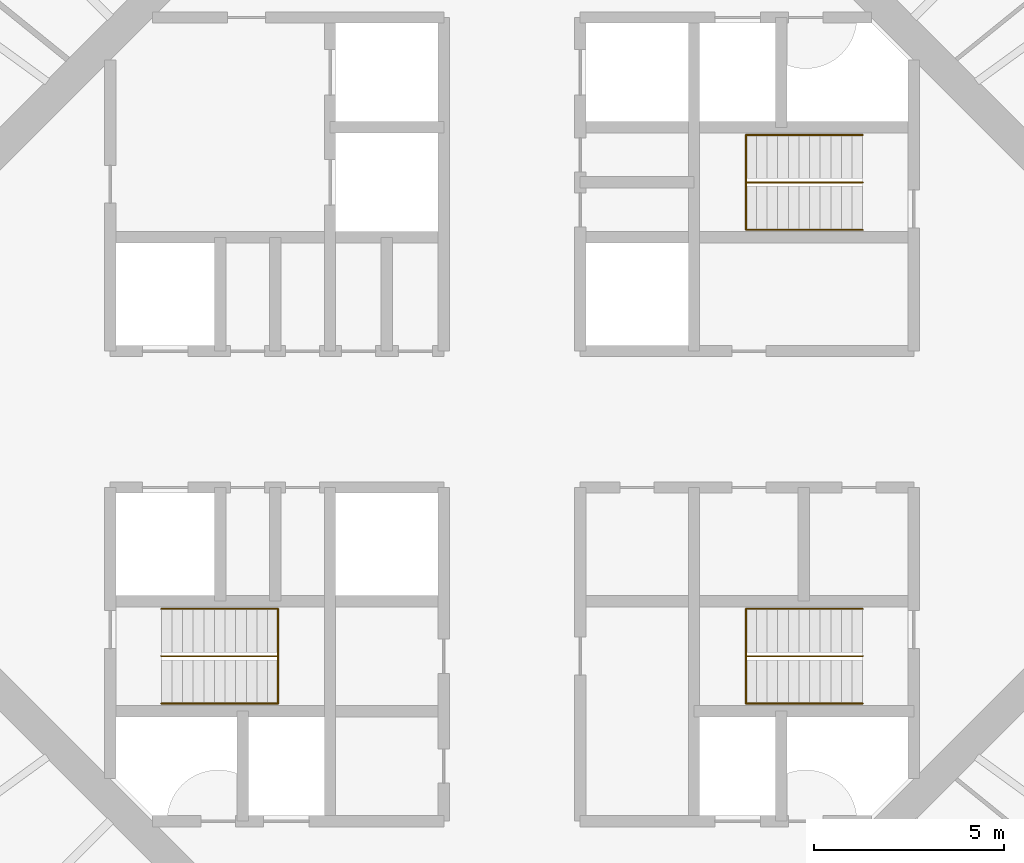
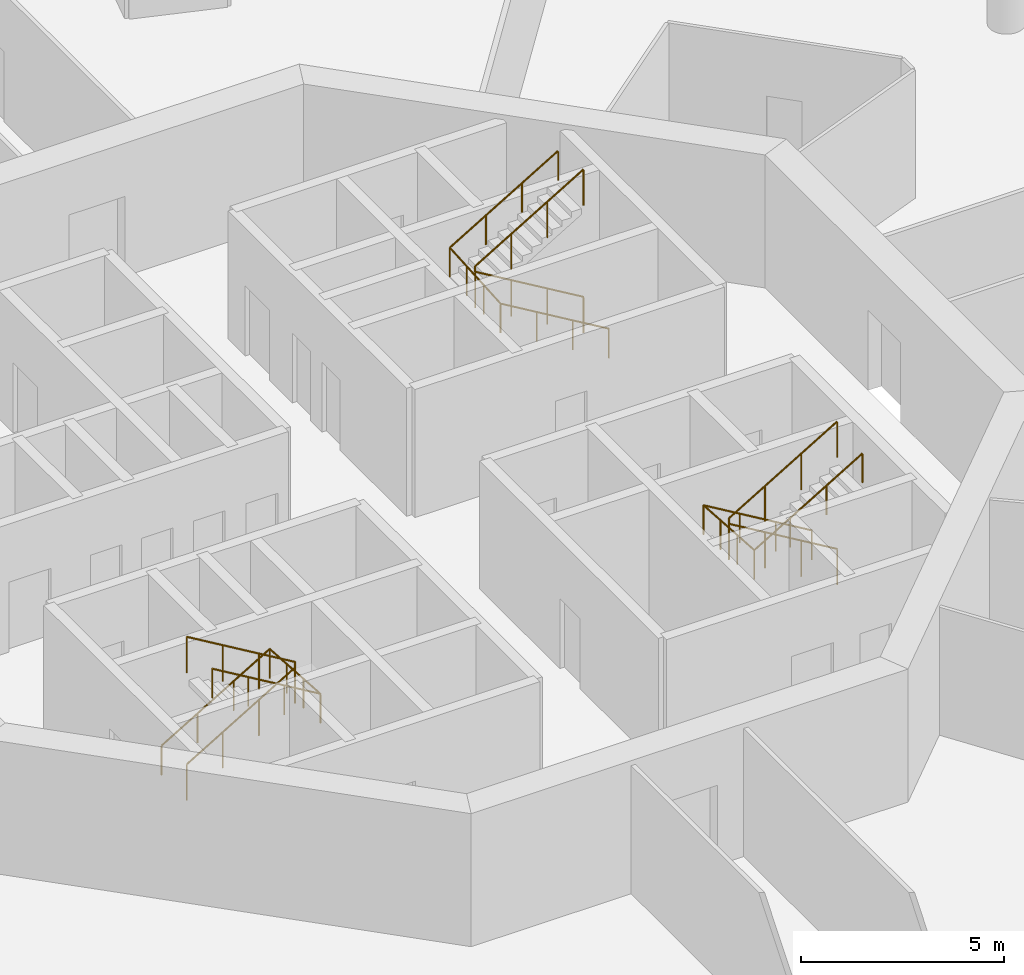
# One storey, part 13 of 13: 6 railings.
"""IFC4 building model written with IfcOpenShell, lengths in metres."""

import ifcopenshell
import ifcopenshell.guid

model = None  # the IFC model being written
_history = None  # IfcOwnerHistory: only IFC2X3 demands one
_inside = {}  # id of a spatial element -> (the spatial element, [elements in it])
_under = {}  # id of a project, library or spatial element -> (it, [spatial elements below it])
_declared = {}  # id of a project -> (the project, [libraries it declares])
_typed = {}  # id of a type object -> (the type object, [elements of that type])
_made_of = {}  # id of a material, layer set ... -> (it, [elements and type objects made of it])


def new_model(schema):
    """Start an empty IFC model of exactly this schema.

    Asked for "IFC4X3", IfcOpenShell would pick the latest addendum, in which some entities
    have other attributes; the version numbers below select the first issue.
    IFC2X3 requires an IfcOwnerHistory on every rooted entity: one is made here for all.
    """
    global model, _history
    if schema == "IFC4X3":
        model = ifcopenshell.file(schema_version=(4, 3, 0, 0))
    else:
        model = ifcopenshell.file(schema=schema)
    _inside.clear()
    _under.clear()
    _declared.clear()
    _typed.clear()
    _made_of.clear()
    _history = None
    if model.schema == "IFC2X3":
        org = make("IfcOrganization", Name="unknown")
        user = make(
            "IfcPersonAndOrganization",
            ThePerson=make("IfcPerson", FamilyName="unknown"),
            TheOrganization=org,
        )
        app = make(
            "IfcApplication",
            ApplicationDeveloper=org,
            Version="unknown",
            ApplicationFullName="unknown",
            ApplicationIdentifier="unknown",
        )
        _history = make(
            "IfcOwnerHistory",
            OwningUser=user,
            OwningApplication=app,
            ChangeAction="ADDED",
            CreationDate=0,
        )
    return model


def make(cls, **values):
    """One entity of the class cls with the attributes given. An attribute that is None is left unset."""
    return model.create_entity(
        cls, **{name: value for name, value in values.items() if value is not None}
    )


def rooted(cls, **values):
    """An entity with a GlobalId (a new one), such as an element, a storey or a relation."""
    return make(cls, GlobalId=ifcopenshell.guid.new(), OwnerHistory=_history, **values)


def si_unit(unit_type, name, prefix=None):
    """IfcSIUnit, for example si_unit("LENGTHUNIT", "METRE", prefix="MILLI")."""
    return make("IfcSIUnit", UnitType=unit_type, Prefix=prefix, Name=name)


def assignment(units):
    """IfcUnitAssignment: the units of a project."""
    return None if units is None else make("IfcUnitAssignment", Units=units)


def point(xyz):
    """IfcCartesianPoint."""
    return None if xyz is None else make("IfcCartesianPoint", Coordinates=xyz)


def direction(xyz):
    """IfcDirection."""
    return None if xyz is None else make("IfcDirection", DirectionRatios=xyz)


def frame(location, z_axis=None, x_axis=None):
    """IfcAxis2Placement3D, a coordinate frame: its origin and axes. An axis left out is left unset."""
    return make(
        "IfcAxis2Placement3D",
        Location=point(location),
        Axis=direction(z_axis),
        RefDirection=direction(x_axis),
    )


def frame_2d(location, x_axis=None):
    """IfcAxis2Placement2D, a coordinate frame in the plane: its origin and x axis."""
    return make(
        "IfcAxis2Placement2D", Location=point(location), RefDirection=direction(x_axis)
    )


def origin():
    """The frame at (0, 0, 0) with its axes left unset."""
    return frame((0.0, 0.0, 0.0))


def origin_2d():
    """The frame at (0, 0) in the plane with its x axis left unset."""
    return frame_2d((0.0, 0.0))


def place(relative_to, where):
    """IfcLocalPlacement: puts the frame where relative to a parent placement (None: the world)."""
    return make(
        "IfcLocalPlacement", PlacementRelTo=relative_to, RelativePlacement=where
    )


def context(
    kind, dimensions, precision=None, world=None, true_north=None, identifier=None
):
    """IfcGeometricRepresentationContext, for example the 3D "Model" context."""
    return make(
        "IfcGeometricRepresentationContext",
        ContextIdentifier=identifier,
        ContextType=kind,
        CoordinateSpaceDimension=dimensions,
        Precision=precision,
        WorldCoordinateSystem=world,
        TrueNorth=true_north,
    )


def subcontext(parent, identifier, kind, view, scale=None):
    """IfcGeometricRepresentationSubContext, for example "Body" below "Model"."""
    return make(
        "IfcGeometricRepresentationSubContext",
        ContextIdentifier=identifier,
        ContextType=kind,
        ParentContext=parent,
        TargetScale=scale,
        TargetView=view,
    )


def project(units=None, contexts=None):
    """IfcProject with its units and contexts."""
    return rooted(
        "IfcProject",
        Name="project",
        RepresentationContexts=contexts,
        UnitsInContext=assignment(units),
    )


def spatial(cls, under=None, at=None, **own):
    """A site, building, storey or space (cls), placed at a placement, below another one or the project."""
    s = rooted(cls, ObjectPlacement=at, **own)
    if under is not None:
        _under.setdefault(under.id(), (under, []))[1].append(s)
    return s


def profile(cls, at=None, kind="AREA", **sizes):
    """A parametric profile (cls). Its sizes go by their IFC names, for example OverallWidth=200.0."""
    return make(cls, ProfileType=kind, Position=at, **sizes)


def circle(**sizes):
    """IfcCircleProfileDef."""
    return profile("IfcCircleProfileDef", **sizes)


def extrude(swept, where, along, depth):
    """IfcExtrudedAreaSolid: the profile swept, set in the frame where, extruded along a direction by depth."""
    return make(
        "IfcExtrudedAreaSolid",
        SweptArea=swept,
        Position=where,
        ExtrudedDirection=direction(along),
        Depth=depth,
    )


def shape(context_of_items, identifier, shape_type, items):
    """IfcShapeRepresentation: the items that make up one representation, for example the "Body"."""
    return make(
        "IfcShapeRepresentation",
        ContextOfItems=context_of_items,
        RepresentationIdentifier=identifier,
        RepresentationType=shape_type,
        Items=items,
    )


def material(Name=None, Category=None):
    """IfcMaterial."""
    return make("IfcMaterial", Name=Name, Category=Category)


def made_of(thing, what):
    """Note that an element or type object is made of a material, layer set ...; save() writes the relation."""
    if what is not None:
        _made_of.setdefault(what.id(), (what, []))[1].append(thing)
    return thing


def type_object(cls, material=None, **own):
    """A type object (cls), such as IfcWallType, which elements share."""
    return made_of(rooted(cls, **own), material)


def element(
    cls,
    number,
    at=None,
    inside=None,
    cuts=None,
    type_object=None,
    material=None,
    context=None,
    identifier="Body",
    shape_type=None,
    held_by="IfcProductDefinitionShape",
    body=None,
    shapes=None,
    **own,
):
    """One element of the class cls, such as IfcWall. Its Tag is "e" and its number.

    at: its placement. inside: the storey or other place that contains it. cuts: it is an
    opening in that element (IfcRelVoidsElement). A single representation is given by context,
    identifier, shape_type and body (its items); several are given by shapes. held_by: the class
    of the entity that holds the representations. save() writes the other relations.
    """
    e = rooted(cls, Tag="e%d" % number, ObjectPlacement=at, **own)
    if body is not None:
        shapes = [shape(context, identifier, shape_type, body)]
    if shapes is not None:
        e.Representation = make(held_by, Representations=shapes)
    if inside is not None:
        _inside.setdefault(inside.id(), (inside, []))[1].append(e)
    if cuts is not None:
        rooted(
            "IfcRelVoidsElement", RelatingBuildingElement=cuts, RelatedOpeningElement=e
        )
    if type_object is not None:
        _typed.setdefault(type_object.id(), (type_object, []))[1].append(e)
    return made_of(e, material)


def aggregate(whole, parts):
    """IfcRelAggregates: a whole, such as a stair, and the parts it consists of."""
    return rooted("IfcRelAggregates", RelatingObject=whole, RelatedObjects=parts)


def save(model, path):
    """Write the relations noted so far, then the file.

    IfcRelAggregates (storeys below a building ...), IfcRelContainedInSpatialStructure (elements
    in a storey), IfcRelDefinesByType, IfcRelAssociatesMaterial and IfcRelDeclares: one each for
    every whole, place, type object, material and project.
    """
    for whole, parts in _under.values():
        aggregate(whole, parts)
    for where, things in _inside.values():
        rooted(
            "IfcRelContainedInSpatialStructure",
            RelatedElements=things,
            RelatingStructure=where,
        )
    for kind, things in _typed.values():
        rooted("IfcRelDefinesByType", RelatedObjects=things, RelatingType=kind)
    for what, things in _made_of.values():
        rooted("IfcRelAssociatesMaterial", RelatedObjects=things, RelatingMaterial=what)
    for by, libraries in _declared.values():
        rooted("IfcRelDeclares", RelatingContext=by, RelatedDefinitions=libraries)
    model.write(path)


model = new_model("IFC4")

# Units and contexts
model_context = context("Model", 3, precision=1e-05, world=origin(), true_north=direction((0.0, 1.0)))
body_context = subcontext(model_context, "Body", "Model", "MODEL_VIEW")
ifc_project = project(units=[si_unit("LENGTHUNIT", "METRE"), si_unit("AREAUNIT", "SQUARE_METRE"), si_unit("VOLUMEUNIT", "CUBIC_METRE"), si_unit("PLANEANGLEUNIT", "RADIAN"), si_unit("MASSUNIT", "GRAM", prefix="KILO")], contexts=[model_context])

# Site, building, storey
site_placement = place(None, origin())
site = spatial("IfcSite", under=ifc_project, at=site_placement, CompositionType="ELEMENT")
building_placement = place(site_placement, origin())
building = spatial("IfcBuilding", under=site, at=building_placement, Name="Entoto Ring Tower", CompositionType="ELEMENT")
storey_placement = place(building_placement, frame((0.0, 0.0, 278.0)))
storey = spatial("IfcBuildingStorey", under=building, at=storey_placement, Name="L63", CompositionType="ELEMENT", Elevation=278.0)

# Railings
ifc_material_1 = material(Name="Steel S275", Category="steel")
railing_type_1 = type_object("IfcRailingType", Name="Stair guard 1100 mm steel", PredefinedType="GUARDRAIL", material=ifc_material_1)
railing_1_placement = place(storey_placement, frame((99.25, 86.25, 0.166748046875)))
element("IfcRailing", 1, at=railing_1_placement, inside=storey, type_object=railing_type_1, Name="Guard ST1", PredefinedType="GUARDRAIL", context=body_context, shape_type="SweptSolid", body=[
    extrude(circle(Radius=0.02392578125, at=origin_2d()), frame((0.0, 0.0, 1.076171875), z_axis=(-0.859308565015, 0.0, 0.511457515432), x_axis=(0.0, -1.0, 0.0)), (0.0, 0.0, 1.0), 3.58447265625),
    extrude(circle(Radius=0.02392578125, at=origin_2d()), frame((-3.080078125, 0.0, 2.9091796875), z_axis=(0.0, 0.0, 1.0), x_axis=(1.0, 0.0, 0.0)), (0.0, 0.0, 1.0), 0.166748046875),
    extrude(circle(Radius=0.02392578125, at=origin_2d()), frame((-3.080078125, 0.0, 3.076171875), z_axis=(0.859308565015, 0.0, 0.511457515432), x_axis=(0.0, 1.0, 0.0)), (0.0, 0.0, 1.0), 3.58447265625),
    extrude(circle(Radius=0.02099609375, at=origin_2d()), origin(), (0.0, 0.0, 1.0), 1.052001953125),
    extrude(circle(Radius=0.02099609375, at=origin_2d()), frame((-1.026611328125, 0.0, 0.611083984375)), (0.0, 0.0, 1.0), 1.052001953125),
    extrude(circle(Radius=0.02099609375, at=origin_2d()), frame((-2.053466796875, 0.0, 1.22216796875)), (0.0, 0.0, 1.0), 1.052001953125),
    extrude(circle(Radius=0.02099609375, at=origin_2d()), frame((-3.080078125, 0.0, 1.833251953125)), (0.0, 0.0, 1.0), 1.052001953125),
    extrude(circle(Radius=0.02099609375, at=origin_2d()), frame((-3.080078125, 0.0, 2.0)), (0.0, 0.0, 1.0), 1.052001953125),
    extrude(circle(Radius=0.02099609375, at=origin_2d()), frame((-2.053466796875, 0.0, 2.611083984375)), (0.0, 0.0, 1.0), 1.052001953125),
    extrude(circle(Radius=0.02099609375, at=origin_2d()), frame((-1.026611328125, 0.0, 3.22216796875)), (0.0, 0.0, 1.0), 1.052001953125),
    extrude(circle(Radius=0.02099609375, at=origin_2d()), frame((0.0, 0.0, 3.833251953125)), (0.0, 0.0, 1.0), 1.052001953125),
])
railing_2_placement = place(storey_placement, frame((80.75, 73.75, 0.166748046875)))
element("IfcRailing", 2, at=railing_2_placement, inside=storey, type_object=railing_type_1, Name="Guard ST2", PredefinedType="GUARDRAIL", context=body_context, shape_type="SweptSolid", body=[
    extrude(circle(Radius=0.02392578125, at=origin_2d()), frame((0.0, 0.0, 1.076171875), z_axis=(0.859308565015, 0.0, 0.511457515432), x_axis=(0.0, 1.0, 0.0)), (0.0, 0.0, 1.0), 3.58447265625),
    extrude(circle(Radius=0.02392578125, at=origin_2d()), frame((3.080078125, 0.0, 2.9091796875), z_axis=(0.0, 0.0, 1.0), x_axis=(1.0, 0.0, 0.0)), (0.0, 0.0, 1.0), 0.166748046875),
    extrude(circle(Radius=0.02392578125, at=origin_2d()), frame((3.080078125, 0.0, 3.076171875), z_axis=(-0.859308565015, 0.0, 0.511457515432), x_axis=(0.0, -1.0, 0.0)), (0.0, 0.0, 1.0), 3.58447265625),
    extrude(circle(Radius=0.02099609375, at=origin_2d()), origin(), (0.0, 0.0, 1.0), 1.052001953125),
    extrude(circle(Radius=0.02099609375, at=origin_2d()), frame((1.026611328125, 0.0, 0.611083984375)), (0.0, 0.0, 1.0), 1.052001953125),
    extrude(circle(Radius=0.02099609375, at=origin_2d()), frame((2.053466796875, 0.0, 1.22216796875)), (0.0, 0.0, 1.0), 1.052001953125),
    extrude(circle(Radius=0.02099609375, at=origin_2d()), frame((3.080078125, 0.0, 1.833251953125)), (0.0, 0.0, 1.0), 1.052001953125),
    extrude(circle(Radius=0.02099609375, at=origin_2d()), frame((3.080078125, 0.0, 2.0)), (0.0, 0.0, 1.0), 1.052001953125),
    extrude(circle(Radius=0.02099609375, at=origin_2d()), frame((2.053466796875, 0.0, 2.611083984375)), (0.0, 0.0, 1.0), 1.052001953125),
    extrude(circle(Radius=0.02099609375, at=origin_2d()), frame((1.026611328125, 0.0, 3.22216796875)), (0.0, 0.0, 1.0), 1.052001953125),
    extrude(circle(Radius=0.02099609375, at=origin_2d()), frame((0.0, 0.0, 3.833251953125)), (0.0, 0.0, 1.0), 1.052001953125),
])
railing_3_placement = place(storey_placement, frame((99.25, 73.75, 0.166748046875)))
element("IfcRailing", 3, at=railing_3_placement, inside=storey, type_object=railing_type_1, Name="Guard ST3", PredefinedType="GUARDRAIL", context=body_context, shape_type="SweptSolid", body=[
    extrude(circle(Radius=0.02392578125, at=origin_2d()), frame((0.0, 0.0, 1.076171875), z_axis=(-0.859308565015, 0.0, 0.511457515432), x_axis=(0.0, -1.0, 0.0)), (0.0, 0.0, 1.0), 3.58447265625),
    extrude(circle(Radius=0.02392578125, at=origin_2d()), frame((-3.080078125, 0.0, 2.9091796875), z_axis=(0.0, 0.0, 1.0), x_axis=(1.0, 0.0, 0.0)), (0.0, 0.0, 1.0), 0.166748046875),
    extrude(circle(Radius=0.02392578125, at=origin_2d()), frame((-3.080078125, 0.0, 3.076171875), z_axis=(0.859308565015, 0.0, 0.511457515432), x_axis=(0.0, 1.0, 0.0)), (0.0, 0.0, 1.0), 3.58447265625),
    extrude(circle(Radius=0.02099609375, at=origin_2d()), origin(), (0.0, 0.0, 1.0), 1.052001953125),
    extrude(circle(Radius=0.02099609375, at=origin_2d()), frame((-1.026611328125, 0.0, 0.611083984375)), (0.0, 0.0, 1.0), 1.052001953125),
    extrude(circle(Radius=0.02099609375, at=origin_2d()), frame((-2.053466796875, 0.0, 1.22216796875)), (0.0, 0.0, 1.0), 1.052001953125),
    extrude(circle(Radius=0.02099609375, at=origin_2d()), frame((-3.080078125, 0.0, 1.833251953125)), (0.0, 0.0, 1.0), 1.052001953125),
    extrude(circle(Radius=0.02099609375, at=origin_2d()), frame((-3.080078125, 0.0, 2.0)), (0.0, 0.0, 1.0), 1.052001953125),
    extrude(circle(Radius=0.02099609375, at=origin_2d()), frame((-2.053466796875, 0.0, 2.611083984375)), (0.0, 0.0, 1.0), 1.052001953125),
    extrude(circle(Radius=0.02099609375, at=origin_2d()), frame((-1.026611328125, 0.0, 3.22216796875)), (0.0, 0.0, 1.0), 1.052001953125),
    extrude(circle(Radius=0.02099609375, at=origin_2d()), frame((0.0, 0.0, 3.833251953125)), (0.0, 0.0, 1.0), 1.052001953125),
])
ifc_material_2 = material(Name="Steel S275", Category="steel")
railing_type_2 = type_object("IfcRailingType", Name="Stair handrail 900 mm steel", PredefinedType="HANDRAIL", material=ifc_material_2)
railing_4_placement = place(storey_placement, frame((99.25, 85.0, 0.166748046875)))
element("IfcRailing", 4, at=railing_4_placement, inside=storey, type_object=railing_type_2, Name="Handrail ST1", PredefinedType="HANDRAIL", context=body_context, shape_type="SweptSolid", body=[
    extrude(circle(Radius=0.02392578125, at=origin_2d()), frame((0.0, 0.0, 0.8759765625), z_axis=(-0.859308565015, 0.0, 0.511457515432), x_axis=(0.0, -1.0, 0.0)), (0.0, 0.0, 1.0), 3.58447265625),
    extrude(circle(Radius=0.02392578125, at=origin_2d()), frame((-3.080078125, 0.0, 2.708984375), z_axis=(0.0, 0.997783001586, 0.066551346688), x_axis=(-1.0, 0.0, 0.0)), (0.0, 0.0, 1.0), 2.505615234375),
    extrude(circle(Radius=0.02392578125, at=origin_2d()), frame((-3.080078125, 2.5, 2.8759765625), z_axis=(0.859308565015, 0.0, 0.511457515432), x_axis=(0.0, 1.0, 0.0)), (0.0, 0.0, 1.0), 3.58447265625),
    extrude(circle(Radius=0.02099609375, at=origin_2d()), origin(), (0.0, 0.0, 1.0), 0.851806640625),
    extrude(circle(Radius=0.02099609375, at=origin_2d()), frame((-1.026611328125, 0.0, 0.611083984375)), (0.0, 0.0, 1.0), 0.851806640625),
    extrude(circle(Radius=0.02099609375, at=origin_2d()), frame((-2.053466796875, 0.0, 1.22216796875)), (0.0, 0.0, 1.0), 0.851806640625),
    extrude(circle(Radius=0.02099609375, at=origin_2d()), frame((-3.080078125, 0.0, 1.833251953125)), (0.0, 0.0, 1.0), 0.851806640625),
    extrude(circle(Radius=0.02099609375, at=origin_2d()), frame((-3.080078125, 0.833251953125, 1.888916015625)), (0.0, 0.0, 1.0), 0.851806640625),
    extrude(circle(Radius=0.02099609375, at=origin_2d()), frame((-3.080078125, 1.666748046875, 1.9443359375)), (0.0, 0.0, 1.0), 0.851806640625),
    extrude(circle(Radius=0.02099609375, at=origin_2d()), frame((-3.080078125, 2.5, 2.0)), (0.0, 0.0, 1.0), 0.851806640625),
    extrude(circle(Radius=0.02099609375, at=origin_2d()), frame((-2.053466796875, 2.5, 2.611083984375)), (0.0, 0.0, 1.0), 0.851806640625),
    extrude(circle(Radius=0.02099609375, at=origin_2d()), frame((-1.026611328125, 2.5, 3.22216796875)), (0.0, 0.0, 1.0), 0.851806640625),
    extrude(circle(Radius=0.02099609375, at=origin_2d()), frame((0.0, 2.5, 3.833251953125)), (0.0, 0.0, 1.0), 0.851806640625),
])
railing_5_placement = place(storey_placement, frame((80.75, 75.0, 0.166748046875)))
element("IfcRailing", 5, at=railing_5_placement, inside=storey, type_object=railing_type_2, Name="Handrail ST2", PredefinedType="HANDRAIL", context=body_context, shape_type="SweptSolid", body=[
    extrude(circle(Radius=0.02392578125, at=origin_2d()), frame((0.0, 0.0, 0.8759765625), z_axis=(0.859308565015, 0.0, 0.511457515432), x_axis=(0.0, 1.0, 0.0)), (0.0, 0.0, 1.0), 3.58447265625),
    extrude(circle(Radius=0.02392578125, at=origin_2d()), frame((3.080078125, 0.0, 2.708984375), z_axis=(0.0, -0.997783001586, 0.066551346688), x_axis=(1.0, 0.0, 0.0)), (0.0, 0.0, 1.0), 2.505615234375),
    extrude(circle(Radius=0.02392578125, at=origin_2d()), frame((3.080078125, -2.5, 2.8759765625), z_axis=(-0.859308565015, 0.0, 0.511457515432), x_axis=(0.0, -1.0, 0.0)), (0.0, 0.0, 1.0), 3.58447265625),
    extrude(circle(Radius=0.02099609375, at=origin_2d()), origin(), (0.0, 0.0, 1.0), 0.851806640625),
    extrude(circle(Radius=0.02099609375, at=origin_2d()), frame((1.026611328125, 0.0, 0.611083984375)), (0.0, 0.0, 1.0), 0.851806640625),
    extrude(circle(Radius=0.02099609375, at=origin_2d()), frame((2.053466796875, 0.0, 1.22216796875)), (0.0, 0.0, 1.0), 0.851806640625),
    extrude(circle(Radius=0.02099609375, at=origin_2d()), frame((3.080078125, 0.0, 1.833251953125)), (0.0, 0.0, 1.0), 0.851806640625),
    extrude(circle(Radius=0.02099609375, at=origin_2d()), frame((3.080078125, -0.833251953125, 1.888916015625)), (0.0, 0.0, 1.0), 0.851806640625),
    extrude(circle(Radius=0.02099609375, at=origin_2d()), frame((3.080078125, -1.666748046875, 1.9443359375)), (0.0, 0.0, 1.0), 0.851806640625),
    extrude(circle(Radius=0.02099609375, at=origin_2d()), frame((3.080078125, -2.5, 2.0)), (0.0, 0.0, 1.0), 0.851806640625),
    extrude(circle(Radius=0.02099609375, at=origin_2d()), frame((2.053466796875, -2.5, 2.611083984375)), (0.0, 0.0, 1.0), 0.851806640625),
    extrude(circle(Radius=0.02099609375, at=origin_2d()), frame((1.026611328125, -2.5, 3.22216796875)), (0.0, 0.0, 1.0), 0.851806640625),
    extrude(circle(Radius=0.02099609375, at=origin_2d()), frame((0.0, -2.5, 3.833251953125)), (0.0, 0.0, 1.0), 0.851806640625),
])
railing_6_placement = place(storey_placement, frame((99.25, 75.0, 0.166748046875)))
element("IfcRailing", 6, at=railing_6_placement, inside=storey, type_object=railing_type_2, Name="Handrail ST3", PredefinedType="HANDRAIL", context=body_context, shape_type="SweptSolid", body=[
    extrude(circle(Radius=0.02392578125, at=origin_2d()), frame((0.0, 0.0, 0.8759765625), z_axis=(-0.859308565015, 0.0, 0.511457515432), x_axis=(0.0, -1.0, 0.0)), (0.0, 0.0, 1.0), 3.58447265625),
    extrude(circle(Radius=0.02392578125, at=origin_2d()), frame((-3.080078125, 0.0, 2.708984375), z_axis=(0.0, -0.997783001586, 0.066551346688), x_axis=(1.0, 0.0, 0.0)), (0.0, 0.0, 1.0), 2.505615234375),
    extrude(circle(Radius=0.02392578125, at=origin_2d()), frame((-3.080078125, -2.5, 2.8759765625), z_axis=(0.859308565015, 0.0, 0.511457515432), x_axis=(0.0, 1.0, 0.0)), (0.0, 0.0, 1.0), 3.58447265625),
    extrude(circle(Radius=0.02099609375, at=origin_2d()), origin(), (0.0, 0.0, 1.0), 0.851806640625),
    extrude(circle(Radius=0.02099609375, at=origin_2d()), frame((-1.026611328125, 0.0, 0.611083984375)), (0.0, 0.0, 1.0), 0.851806640625),
    extrude(circle(Radius=0.02099609375, at=origin_2d()), frame((-2.053466796875, 0.0, 1.22216796875)), (0.0, 0.0, 1.0), 0.851806640625),
    extrude(circle(Radius=0.02099609375, at=origin_2d()), frame((-3.080078125, 0.0, 1.833251953125)), (0.0, 0.0, 1.0), 0.851806640625),
    extrude(circle(Radius=0.02099609375, at=origin_2d()), frame((-3.080078125, -0.833251953125, 1.888916015625)), (0.0, 0.0, 1.0), 0.851806640625),
    extrude(circle(Radius=0.02099609375, at=origin_2d()), frame((-3.080078125, -1.666748046875, 1.9443359375)), (0.0, 0.0, 1.0), 0.851806640625),
    extrude(circle(Radius=0.02099609375, at=origin_2d()), frame((-3.080078125, -2.5, 2.0)), (0.0, 0.0, 1.0), 0.851806640625),
    extrude(circle(Radius=0.02099609375, at=origin_2d()), frame((-2.053466796875, -2.5, 2.611083984375)), (0.0, 0.0, 1.0), 0.851806640625),
    extrude(circle(Radius=0.02099609375, at=origin_2d()), frame((-1.026611328125, -2.5, 3.22216796875)), (0.0, 0.0, 1.0), 0.851806640625),
    extrude(circle(Radius=0.02099609375, at=origin_2d()), frame((0.0, -2.5, 3.833251953125)), (0.0, 0.0, 1.0), 0.851806640625),
])

save(model, "model.ifc")
